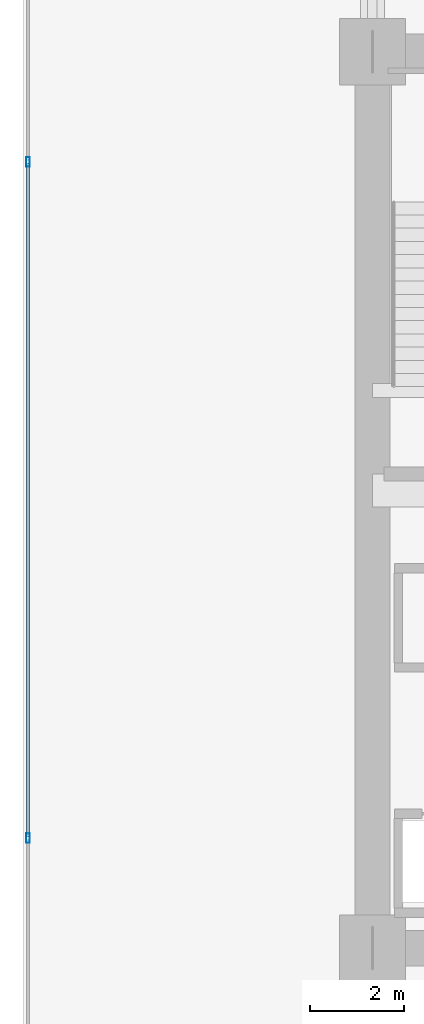
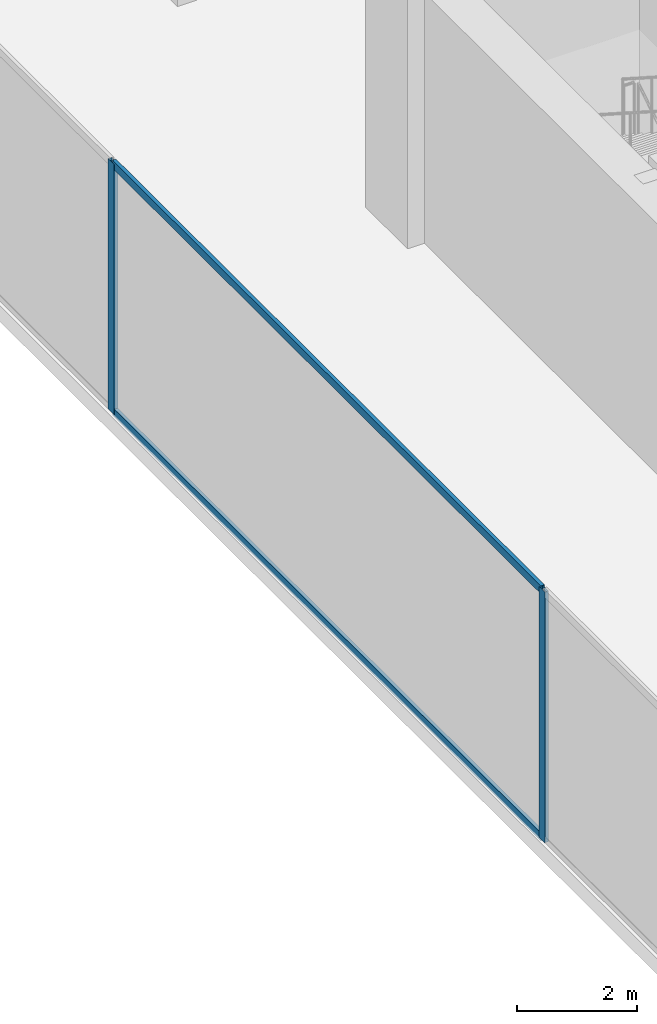
# One storey, part 6 of 38: 4 members, 1 element without a shape of its own.
"""IFC4 building model written with IfcOpenShell, lengths in metres."""

import ifcopenshell
import ifcopenshell.guid

model = None  # the IFC model being written
_history = None  # IfcOwnerHistory: only IFC2X3 demands one
_inside = {}  # id of a spatial element -> (the spatial element, [elements in it])
_under = {}  # id of a project, library or spatial element -> (it, [spatial elements below it])
_declared = {}  # id of a project -> (the project, [libraries it declares])
_typed = {}  # id of a type object -> (the type object, [elements of that type])
_made_of = {}  # id of a material, layer set ... -> (it, [elements and type objects made of it])


def new_model(schema):
    """Start an empty IFC model of exactly this schema.

    Asked for "IFC4X3", IfcOpenShell would pick the latest addendum, in which some entities
    have other attributes; the version numbers below select the first issue.
    IFC2X3 requires an IfcOwnerHistory on every rooted entity: one is made here for all.
    """
    global model, _history
    if schema == "IFC4X3":
        model = ifcopenshell.file(schema_version=(4, 3, 0, 0))
    else:
        model = ifcopenshell.file(schema=schema)
    _inside.clear()
    _under.clear()
    _declared.clear()
    _typed.clear()
    _made_of.clear()
    _history = None
    if model.schema == "IFC2X3":
        org = make("IfcOrganization", Name="unknown")
        user = make(
            "IfcPersonAndOrganization",
            ThePerson=make("IfcPerson", FamilyName="unknown"),
            TheOrganization=org,
        )
        app = make(
            "IfcApplication",
            ApplicationDeveloper=org,
            Version="unknown",
            ApplicationFullName="unknown",
            ApplicationIdentifier="unknown",
        )
        _history = make(
            "IfcOwnerHistory",
            OwningUser=user,
            OwningApplication=app,
            ChangeAction="ADDED",
            CreationDate=0,
        )
    return model


def make(cls, **values):
    """One entity of the class cls with the attributes given. An attribute that is None is left unset."""
    return model.create_entity(
        cls, **{name: value for name, value in values.items() if value is not None}
    )


def rooted(cls, **values):
    """An entity with a GlobalId (a new one), such as an element, a storey or a relation."""
    return make(cls, GlobalId=ifcopenshell.guid.new(), OwnerHistory=_history, **values)


def si_unit(unit_type, name, prefix=None):
    """IfcSIUnit, for example si_unit("LENGTHUNIT", "METRE", prefix="MILLI")."""
    return make("IfcSIUnit", UnitType=unit_type, Prefix=prefix, Name=name)


def assignment(units):
    """IfcUnitAssignment: the units of a project."""
    return None if units is None else make("IfcUnitAssignment", Units=units)


def point(xyz):
    """IfcCartesianPoint."""
    return None if xyz is None else make("IfcCartesianPoint", Coordinates=xyz)


def direction(xyz):
    """IfcDirection."""
    return None if xyz is None else make("IfcDirection", DirectionRatios=xyz)


def frame(location, z_axis=None, x_axis=None):
    """IfcAxis2Placement3D, a coordinate frame: its origin and axes. An axis left out is left unset."""
    return make(
        "IfcAxis2Placement3D",
        Location=point(location),
        Axis=direction(z_axis),
        RefDirection=direction(x_axis),
    )


def frame_2d(location, x_axis=None):
    """IfcAxis2Placement2D, a coordinate frame in the plane: its origin and x axis."""
    return make(
        "IfcAxis2Placement2D", Location=point(location), RefDirection=direction(x_axis)
    )


def origin():
    """The frame at (0, 0, 0) with its axes left unset."""
    return frame((0.0, 0.0, 0.0))


def origin_2d():
    """The frame at (0, 0) in the plane with its x axis left unset."""
    return frame_2d((0.0, 0.0))


def place(relative_to, where):
    """IfcLocalPlacement: puts the frame where relative to a parent placement (None: the world)."""
    return make(
        "IfcLocalPlacement", PlacementRelTo=relative_to, RelativePlacement=where
    )


def context(
    kind, dimensions, precision=None, world=None, true_north=None, identifier=None
):
    """IfcGeometricRepresentationContext, for example the 3D "Model" context."""
    return make(
        "IfcGeometricRepresentationContext",
        ContextIdentifier=identifier,
        ContextType=kind,
        CoordinateSpaceDimension=dimensions,
        Precision=precision,
        WorldCoordinateSystem=world,
        TrueNorth=true_north,
    )


def subcontext(parent, identifier, kind, view, scale=None):
    """IfcGeometricRepresentationSubContext, for example "Body" below "Model"."""
    return make(
        "IfcGeometricRepresentationSubContext",
        ContextIdentifier=identifier,
        ContextType=kind,
        ParentContext=parent,
        TargetScale=scale,
        TargetView=view,
    )


def project(units=None, contexts=None):
    """IfcProject with its units and contexts."""
    return rooted(
        "IfcProject",
        Name="project",
        RepresentationContexts=contexts,
        UnitsInContext=assignment(units),
    )


def spatial(cls, under=None, at=None, **own):
    """A site, building, storey or space (cls), placed at a placement, below another one or the project."""
    s = rooted(cls, ObjectPlacement=at, **own)
    if under is not None:
        _under.setdefault(under.id(), (under, []))[1].append(s)
    return s


def profile(cls, at=None, kind="AREA", **sizes):
    """A parametric profile (cls). Its sizes go by their IFC names, for example OverallWidth=200.0."""
    return make(cls, ProfileType=kind, Position=at, **sizes)


def hollow_rectangle(**sizes):
    """IfcRectangleHollowProfileDef."""
    return profile("IfcRectangleHollowProfileDef", **sizes)


def extrude(swept, where, along, depth):
    """IfcExtrudedAreaSolid: the profile swept, set in the frame where, extruded along a direction by depth."""
    return make(
        "IfcExtrudedAreaSolid",
        SweptArea=swept,
        Position=where,
        ExtrudedDirection=direction(along),
        Depth=depth,
    )


def shape(context_of_items, identifier, shape_type, items):
    """IfcShapeRepresentation: the items that make up one representation, for example the "Body"."""
    return make(
        "IfcShapeRepresentation",
        ContextOfItems=context_of_items,
        RepresentationIdentifier=identifier,
        RepresentationType=shape_type,
        Items=items,
    )


def source(mapping_origin, context_of_items, identifier, shape_type, items):
    """IfcRepresentationMap: a shape defined once, which mapped items show again and again."""
    return make(
        "IfcRepresentationMap",
        MappingOrigin=mapping_origin,
        MappedRepresentation=shape(context_of_items, identifier, shape_type, items),
    )


def transform(
    local_origin,
    x_axis=None,
    y_axis=None,
    z_axis=None,
    scale=None,
    scale2=None,
    scale3=None,
    uniform=True,
):
    """IfcCartesianTransformationOperator3D, or its non-uniform kind. x_axis, y_axis, z_axis: its Axis1, 2, 3."""
    if uniform:
        return make(
            "IfcCartesianTransformationOperator3D",
            Axis1=direction(x_axis),
            Axis2=direction(y_axis),
            LocalOrigin=point(local_origin),
            Scale=scale,
            Axis3=direction(z_axis),
        )
    return make(
        "IfcCartesianTransformationOperator3DnonUniform",
        Axis1=direction(x_axis),
        Axis2=direction(y_axis),
        LocalOrigin=point(local_origin),
        Scale=scale,
        Axis3=direction(z_axis),
        Scale2=scale2,
        Scale3=scale3,
    )


def mapped(mapping_source, mapping_target):
    """IfcMappedItem: shows the shape of a source again, moved by a transform."""
    return make(
        "IfcMappedItem", MappingSource=mapping_source, MappingTarget=mapping_target
    )


def material(Name=None, Category=None):
    """IfcMaterial."""
    return make("IfcMaterial", Name=Name, Category=Category)


def layer(
    of_material, thickness, ventilated=None, Name=None, Category=None, Priority=None
):
    """IfcMaterialLayer: one layer of a wall or slab, of a material (None: an air gap)."""
    return make(
        "IfcMaterialLayer",
        Material=of_material,
        LayerThickness=thickness,
        IsVentilated=ventilated,
        Name=Name,
        Category=Category,
        Priority=Priority,
    )


def layer_set(layers, Name=None):
    """IfcMaterialLayerSet."""
    return make("IfcMaterialLayerSet", MaterialLayers=layers, LayerSetName=Name)


def material_profile(
    of_material, cross_section, Name=None, Category=None, Priority=None
):
    """IfcMaterialProfile: a cross section and its material."""
    return make(
        "IfcMaterialProfile",
        Name=Name,
        Material=of_material,
        Profile=cross_section,
        Priority=Priority,
        Category=Category,
    )


def profile_set(profiles, Name=None, composite=None):
    """IfcMaterialProfileSet."""
    return make(
        "IfcMaterialProfileSet",
        Name=Name,
        MaterialProfiles=profiles,
        CompositeProfile=composite,
    )


def made_of(thing, what):
    """Note that an element or type object is made of a material, layer set ...; save() writes the relation."""
    if what is not None:
        _made_of.setdefault(what.id(), (what, []))[1].append(thing)
    return thing


def type_object(cls, material=None, **own):
    """A type object (cls), such as IfcWallType, which elements share."""
    return made_of(rooted(cls, **own), material)


def type_shapes(of_type, sources):
    """Give a type object the sources (RepresentationMaps) that its elements show as mapped items."""
    of_type.RepresentationMaps = sources


def element(
    cls,
    number,
    at=None,
    inside=None,
    cuts=None,
    type_object=None,
    material=None,
    context=None,
    identifier="Body",
    shape_type=None,
    held_by="IfcProductDefinitionShape",
    body=None,
    shapes=None,
    **own,
):
    """One element of the class cls, such as IfcWall. Its Tag is "e" and its number.

    at: its placement. inside: the storey or other place that contains it. cuts: it is an
    opening in that element (IfcRelVoidsElement). A single representation is given by context,
    identifier, shape_type and body (its items); several are given by shapes. held_by: the class
    of the entity that holds the representations. save() writes the other relations.
    """
    e = rooted(cls, Tag="e%d" % number, ObjectPlacement=at, **own)
    if body is not None:
        shapes = [shape(context, identifier, shape_type, body)]
    if shapes is not None:
        e.Representation = make(held_by, Representations=shapes)
    if inside is not None:
        _inside.setdefault(inside.id(), (inside, []))[1].append(e)
    if cuts is not None:
        rooted(
            "IfcRelVoidsElement", RelatingBuildingElement=cuts, RelatedOpeningElement=e
        )
    if type_object is not None:
        _typed.setdefault(type_object.id(), (type_object, []))[1].append(e)
    return made_of(e, material)


def aggregate(whole, parts):
    """IfcRelAggregates: a whole, such as a stair, and the parts it consists of."""
    return rooted("IfcRelAggregates", RelatingObject=whole, RelatedObjects=parts)


def save(model, path):
    """Write the relations noted so far, then the file.

    IfcRelAggregates (storeys below a building ...), IfcRelContainedInSpatialStructure (elements
    in a storey), IfcRelDefinesByType, IfcRelAssociatesMaterial and IfcRelDeclares: one each for
    every whole, place, type object, material and project.
    """
    for whole, parts in _under.values():
        aggregate(whole, parts)
    for where, things in _inside.values():
        rooted(
            "IfcRelContainedInSpatialStructure",
            RelatedElements=things,
            RelatingStructure=where,
        )
    for kind, things in _typed.values():
        rooted("IfcRelDefinesByType", RelatedObjects=things, RelatingType=kind)
    for what, things in _made_of.values():
        rooted("IfcRelAssociatesMaterial", RelatedObjects=things, RelatingMaterial=what)
    for by, libraries in _declared.values():
        rooted("IfcRelDeclares", RelatingContext=by, RelatedDefinitions=libraries)
    model.write(path)


model = new_model("IFC4")

# Units and contexts
model_context = context("Model", 3, precision=1e-05, world=origin(), true_north=direction((0.0, 1.0)))
body_context = subcontext(model_context, "Body", "Model", "MODEL_VIEW")
ifc_project = project(units=[si_unit("LENGTHUNIT", "METRE"), si_unit("AREAUNIT", "SQUARE_METRE"), si_unit("VOLUMEUNIT", "CUBIC_METRE"), si_unit("PLANEANGLEUNIT", "RADIAN"), si_unit("MASSUNIT", "GRAM", prefix="KILO")], contexts=[model_context])

# Site, building, storey
site_placement = place(None, origin())
site = spatial("IfcSite", under=ifc_project, at=site_placement, CompositionType="ELEMENT")
building_placement = place(site_placement, origin())
building = spatial("IfcBuilding", under=site, at=building_placement, Name="Haelvirn Gate Laboratories", CompositionType="ELEMENT")
storey_placement = place(building_placement, frame((0.0, 0.0, 94.89990234375)))
storey = spatial("IfcBuildingStorey", under=building, at=storey_placement, Name="L23", CompositionType="ELEMENT", Elevation=94.89990234375)

# Curtain wall, members
ifc_material_1 = material(Name="Anodised bronze unitised aluminium & triple low-E glass", Category="aluminium")
ifc_layer = layer(ifc_material_1, 0.18408203125, Name="CW-SYS-2")
ifc_layer_set = layer_set([ifc_layer], Name="Anodised bronze unitised aluminium & triple low-E glass")
curtain_wall_type = type_object("IfcCurtainWallType", Name="CW-SYS-2", PredefinedType="NOTDEFINED", material=ifc_layer_set)
curtain_wall_placement = place(storey_placement, origin())
curtain_wall = element("IfcCurtainWall", 1, at=curtain_wall_placement, inside=storey, type_object=curtain_wall_type, Name="L23 Unitised Curtain Wall CW-L23-P0-E17", PredefinedType="NOTDEFINED")
ifc_material_2 = material(Name="Extruded aluminium 6063-T6 (anodised bronze)", Category="aluminium")
ifc_material_profile_1 = material_profile(ifc_material_2, hollow_rectangle(XDim=0.070068359375, YDim=0.159912109375, WallThickness=0.0048828125, at=origin_2d()), Name="CWT-160x70x5")
ifc_profile_set_1 = profile_set([ifc_material_profile_1], Name="Extruded aluminium 6063-T6 (anodised bronze)")
member_type_1 = type_object("IfcMemberType", Name="CWT-T160", PredefinedType="USERDEFINED", material=ifc_profile_set_1)
shared_shape_1 = source(origin(), body_context, "Body", "SweptSolid", [
    extrude(hollow_rectangle(XDim=0.070068359375, YDim=0.159912109375, WallThickness=0.0048828125, at=origin_2d()), origin(), (0.0, 0.0, 1.0), 14.25830078125),
])
type_shapes(member_type_1, [shared_shape_1])
member_1_placement = place(storey_placement, frame((0.10009765625, 31.42919921875, 0.03515625), z_axis=(0.0, -1.0, 0.0), x_axis=(1.0, 0.0, 0.0)))
member_1 = element("IfcMember", 2, at=member_1_placement, type_object=member_type_1, Name="CW2 transom 2.1", ObjectType="TRANSOM", PredefinedType="USERDEFINED", context=body_context, shape_type="MappedRepresentation", body=[
    mapped(shared_shape_1, transform((0.0, 0.0, 0.0), scale=1.0)),
])
member_2_placement = place(storey_placement, frame((0.10009765625, 31.42919921875, 5.05517578125), z_axis=(0.0, -1.0, 0.0), x_axis=(1.0, 0.0, 0.0)))
member_2 = element("IfcMember", 3, at=member_2_placement, type_object=member_type_1, Name="CW2 transom 2.2", ObjectType="TRANSOM", PredefinedType="USERDEFINED", context=body_context, shape_type="MappedRepresentation", body=[
    mapped(shared_shape_1, transform((0.0, 0.0, 0.0), scale=1.0)),
])
ifc_material_profile_2 = material_profile(ifc_material_2, hollow_rectangle(XDim=0.074951171875, YDim=0.199951171875, WallThickness=0.0048828125, at=origin_2d()), Name="CWM-200x75x5")
ifc_profile_set_2 = profile_set([ifc_material_profile_2], Name="Extruded aluminium 6063-T6 (anodised bronze)")
member_type_2 = type_object("IfcMemberType", Name="CWM-T200", PredefinedType="MULLION", material=ifc_profile_set_2)
shared_shape_2 = source(origin(), body_context, "Body", "SweptSolid", [
    extrude(hollow_rectangle(XDim=0.074951171875, YDim=0.199951171875, WallThickness=0.0048828125, at=origin_2d()), origin(), (0.0, 0.0, 1.0), 5.090087890625),
])
type_shapes(member_type_2, [shared_shape_2])
member_3_placement = place(storey_placement, frame((0.10009765625, 31.466552734375, 0.0), z_axis=(0.0, 0.0, 1.0), x_axis=(1.0, 0.0, 0.0)))
member_3 = element("IfcMember", 4, at=member_3_placement, type_object=member_type_2, Name="CW2 mullion 2", PredefinedType="MULLION", context=body_context, shape_type="MappedRepresentation", body=[
    mapped(shared_shape_2, transform((0.0, 0.0, 0.0), scale=1.0)),
])
member_4_placement = place(storey_placement, frame((0.10009765625, 17.13330078125, 0.0), z_axis=(0.0, 0.0, 1.0), x_axis=(1.0, 0.0, 0.0)))
member_4 = element("IfcMember", 5, at=member_4_placement, type_object=member_type_2, Name="CW2 mullion 3", PredefinedType="MULLION", context=body_context, shape_type="MappedRepresentation", body=[
    mapped(shared_shape_2, transform((0.0, 0.0, 0.0), scale=1.0)),
])
aggregate(curtain_wall, [member_3, member_4, member_1, member_2])

save(model, "model.ifc")
